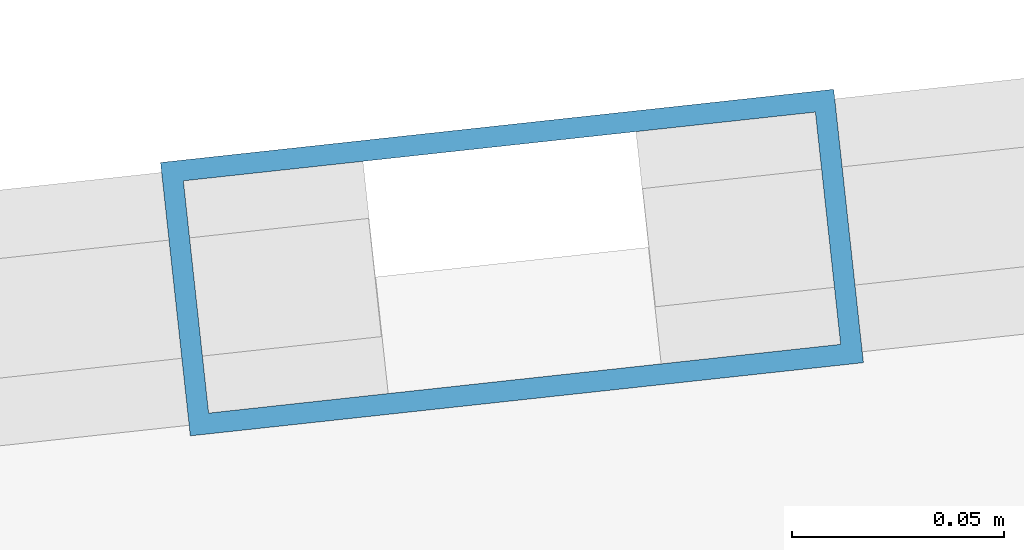
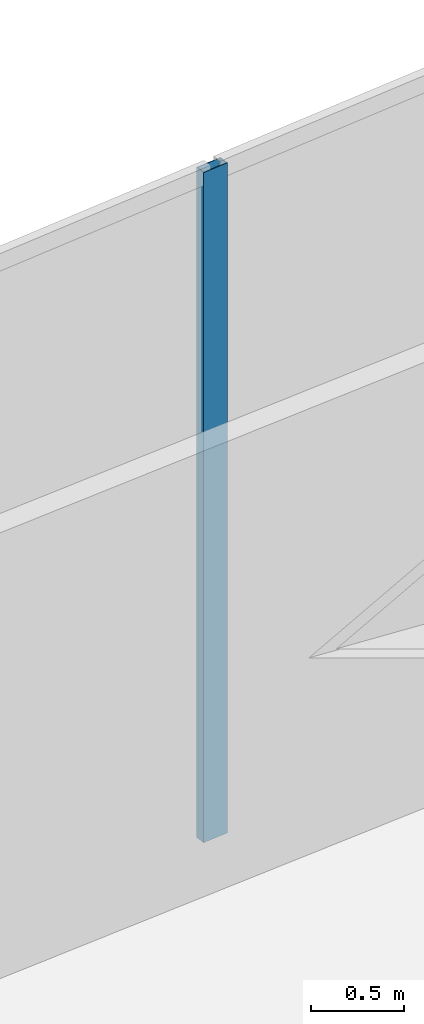
# One storey, part 14 of 21: 1 member, 1 element without a shape of its own.
"""IFC4 building model written with IfcOpenShell, lengths in metres."""

from ifc_helpers import new_model, si_unit, direction, frame, origin, origin_2d, place, context, subcontext, project, spatial, hollow_rectangle, extrude, material, layer, layer_set, material_profile, profile_set, type_object, element, aggregate, save


model = new_model("IFC4")

# Units and contexts
model_context = context("Model", 3, precision=1e-05, world=origin(), true_north=direction((0.0, 1.0)))
body_context = subcontext(model_context, "Body", "Model", "MODEL_VIEW")
ifc_project = project(units=[si_unit("LENGTHUNIT", "METRE"), si_unit("AREAUNIT", "SQUARE_METRE"), si_unit("VOLUMEUNIT", "CUBIC_METRE"), si_unit("PLANEANGLEUNIT", "RADIAN"), si_unit("MASSUNIT", "GRAM", prefix="KILO")], contexts=[model_context])

# Site, building, storey
site_placement = place(None, origin())
site = spatial("IfcSite", under=ifc_project, at=site_placement, CompositionType="ELEMENT")
building_placement = place(site_placement, origin())
building = spatial("IfcBuilding", under=site, at=building_placement, Name="Qianvela Tower", CompositionType="ELEMENT")
storey_placement = place(building_placement, frame((0.0, 0.0, 276.0)))
storey = spatial("IfcBuildingStorey", under=building, at=storey_placement, Name="L71", CompositionType="ELEMENT", Elevation=276.0)

# Curtain wall, member
ifc_material_1 = material(Name="Anodised Architectural Aluminium and Low-E Glass", Category="aluminium")
ifc_layer = layer(ifc_material_1, 0.159912109375)
ifc_layer_set = layer_set([ifc_layer], Name="Anodised Architectural Aluminium and Low-E Glass")
curtain_wall_type = type_object("IfcCurtainWallType", Name="CW-COLIV-Z56", PredefinedType="USERDEFINED", material=ifc_layer_set)
curtain_wall_placement = place(storey_placement, origin())
curtain_wall = element("IfcCurtainWall", 1, at=curtain_wall_placement, inside=storey, type_object=curtain_wall_type, Name="L71 CW-COLIV-Z56 Curtain Wall 02A", ObjectType="CURTAIN_WALL_SYSTEM", PredefinedType="USERDEFINED")
ifc_material_2 = material(Name="Anodised Architectural Aluminium 6063-T6", Category="aluminium")
ifc_material_profile = material_profile(ifc_material_2, hollow_rectangle(XDim=0.06494140625, YDim=0.159912109375, WallThickness=0.0048828125, at=origin_2d()), Name="ALU-MULL-65x160")
ifc_profile_set = profile_set([ifc_material_profile], Name="Anodised Architectural Aluminium 6063-T6")
member_type = type_object("IfcMemberType", Name="CW-COLIV-Z56-MULL", PredefinedType="MULLION", material=ifc_profile_set)
member_placement = place(storey_placement, frame((47.336669921875, 38.110107421875, 0.0), z_axis=(0.0, 0.0, 1.0), x_axis=(0.108120604534, -0.994137784653, 0.0)))
member = element("IfcMember", 2, at=member_placement, type_object=member_type, Name="CW-5 mullion 2", PredefinedType="MULLION", context=body_context, shape_type="SweptSolid", body=[
    extrude(hollow_rectangle(XDim=0.06494140625, YDim=0.159912109375, WallThickness=0.0048828125, at=origin_2d()), origin(), (0.0, 0.0, 1.0), 4.419921875),
])
aggregate(curtain_wall, [member])

save(model, "model.ifc")
